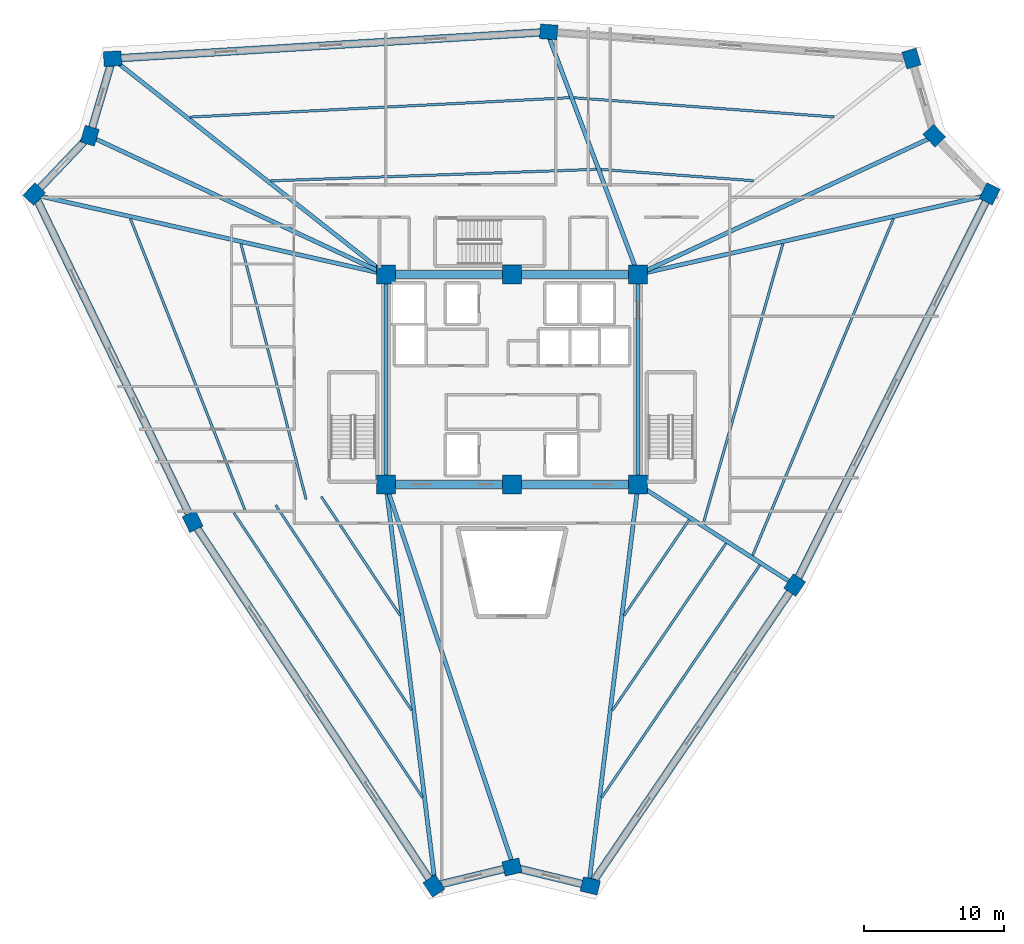
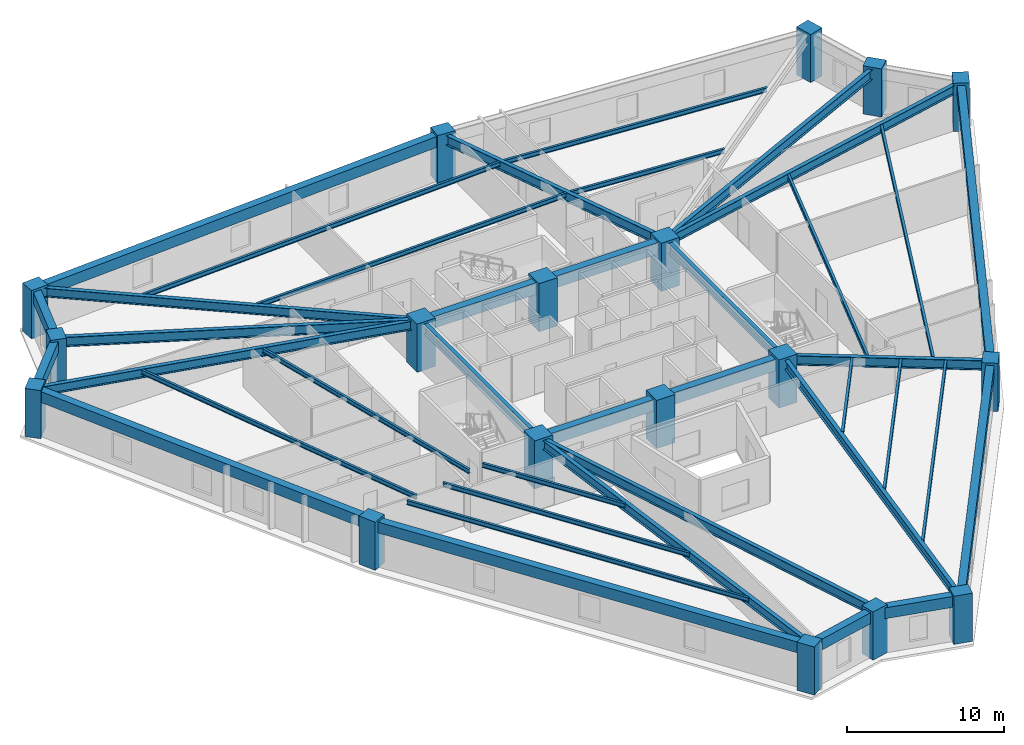
# One storey, part 1 of 8: 39 beams, 18 columns.
"""IFC4 building model written with IfcOpenShell, lengths in metres."""

from ifc_helpers import new_model, si_unit, direction, frame, origin, origin_2d, place, context, subcontext, project, spatial, rectangle, i_section, extrude, source, transform, mapped, material, material_profile, profile_set, type_object, element, save


model = new_model("IFC4")

# Units and contexts
model_context = context("Model", 3, precision=1e-05, world=origin(), true_north=direction((0.0, 1.0)))
body_context = subcontext(model_context, "Body", "Model", "MODEL_VIEW")
ifc_project = project(units=[si_unit("LENGTHUNIT", "METRE"), si_unit("AREAUNIT", "SQUARE_METRE"), si_unit("VOLUMEUNIT", "CUBIC_METRE"), si_unit("PLANEANGLEUNIT", "RADIAN"), si_unit("MASSUNIT", "GRAM", prefix="KILO")], contexts=[model_context])

# Site, building, storey
site_placement = place(None, origin())
site = spatial("IfcSite", under=ifc_project, at=site_placement, CompositionType="ELEMENT")
building_placement = place(site_placement, origin())
building = spatial("IfcBuilding", under=site, at=building_placement, Name="Liaohun Quay Tower", CompositionType="ELEMENT")
storey_placement = place(building_placement, frame((0.0, 0.0, 198.0)))
storey = spatial("IfcBuildingStorey", under=building, at=storey_placement, Name="L51", CompositionType="ELEMENT", Elevation=198.0)

# Columns
ifc_material_1 = material(Name="Concrete C55", Category="concrete")
ifc_material_profile_1 = material_profile(ifc_material_1, rectangle(XDim=1.35009765625, YDim=1.35009765625, at=origin_2d()), Name="RC1350x1350")
ifc_profile_set_1 = profile_set([ifc_material_profile_1], Name="Concrete C55")
column_type_1 = type_object("IfcColumnType", Name="COL-CC-Z3", PredefinedType="COLUMN", material=ifc_profile_set_1)
shared_shape_1 = source(origin(), body_context, "Body", "SweptSolid", [
    extrude(rectangle(XDim=1.35009765625, YDim=1.35009765625, at=origin_2d()), origin(), (0.0, 0.0, 1.0), 3.75),
])
for number, where, z_axis, x_axis, name in (
    (1, (51.0, 46.5, 0.0), (0.0, 0.0, 1.0), (1.0, 0.0, 0.0), "L51 Core Column CC1"),
    (2, (60.0, 46.5, 0.0), (0.0, 0.0, 1.0), (1.0, 0.0, 0.0), "L51 Core Column CC2"),
    (3, (69.0, 46.5, 0.0), (0.0, 0.0, 1.0), (1.0, 0.0, 0.0), "L51 Core Column CC3"),
    (4, (69.0, 61.5, 0.0), (0.0, 0.0, 1.0), (1.0, 0.0, 0.0), "L51 Core Column CC4"),
    (5, (60.0, 61.5, 0.0), (0.0, 0.0, 1.0), (1.0, 0.0, 0.0), "L51 Core Column CC5"),
    (6, (51.0, 61.5, 0.0), (0.0, 0.0, 1.0), (1.0, 0.0, 0.0), "L51 Core Column CC6"),
):
    element("IfcColumn", number, at=place(storey_placement, frame(where, z_axis=z_axis, x_axis=x_axis)), inside=storey, type_object=column_type_1, Name=name, PredefinedType="COLUMN", context=body_context, shape_type="MappedRepresentation", body=[
        mapped(shared_shape_1, transform((0.0, 0.0, 0.0), x_axis=(1.0, 0.0, 0.0), y_axis=(0.0, 1.0, 0.0), z_axis=(0.0, 0.0, 1.0), scale=1.0)),
    ])
ifc_material_profile_2 = material_profile(ifc_material_1, rectangle(XDim=1.25, YDim=1.050048828125, at=origin_2d()), Name="RC1250x1050")
ifc_profile_set_2 = profile_set([ifc_material_profile_2], Name="Concrete C55")
column_type_2 = type_object("IfcColumnType", Name="COL-PIER-Z3", PredefinedType="COLUMN", material=ifc_profile_set_2)
shared_shape_2 = source(origin(), body_context, "Body", "SweptSolid", [
    extrude(rectangle(XDim=1.25, YDim=1.050048828125, at=origin_2d()), origin(), (0.0, 0.0, 1.0), 3.75),
])
for number, where, z_axis, x_axis, name in (
    (7, (54.423095703125, 17.846923828125, 0.0), (0.0, 0.0, 1.0), (-0.551936985312, 0.833885822067, 0.0), "L51 Perimeter Pier PC01"),
    (8, (37.201904296875, 43.864013671875, 0.0), (0.0, 0.0, 1.0), (-0.435388228011, 0.900242795533, 0.0), "L51 Perimeter Pier PC02"),
    (9, (25.89599609375, 67.240966796875, 0.0), (0.0, 0.0, 1.0), (0.689493141399, 0.724292211723, 0.0), "L51 Perimeter Pier PC03"),
    (10, (29.85693359375, 71.403076171875, 0.0), (0.0, 0.0, 1.0), (0.282676303383, 0.959215360337, 0.0), "L51 Perimeter Pier PC04"),
    (11, (31.47900390625, 76.906005859375, 0.0), (0.0, 0.0, 1.0), (0.998134798422, 0.061048539535, 0.0), "L51 Perimeter Pier PC05"),
    (12, (62.6201171875, 78.81201171875, 0.0), (0.0, 0.0, 1.0), (-0.997327244511, 0.0730641318, 0.0), "L51 Perimeter Pier PC06"),
    (13, (88.51904296875, 76.9130859375, 0.0), (0.0, 0.0, 1.0), (-0.282676303383, 0.959215360337, 0.0), "L51 Perimeter Pier PC07"),
    (14, (90.14306640625, 71.403076171875, 0.0), (0.0, 0.0, 1.0), (-0.689493141399, 0.724292211723, 0.0), "L51 Perimeter Pier PC08"),
    (15, (94.097900390625, 67.2470703125, 0.0), (0.0, 0.0, 1.0), (0.44619781311, 0.894934361602, 0.0), "L51 Perimeter Pier PC09"),
    (16, (80.177978515625, 39.324951171875, 0.0), (0.0, 0.0, 1.0), (0.5619390165, 0.827178663733, 0.0), "L51 Perimeter Pier PC10"),
    (17, (65.5849609375, 17.844970703125, 0.0), (0.0, 0.0, 1.0), (-0.972043021443, 0.234802820391, 0.0), "L51 Perimeter Pier PC11"),
    (18, (60.0, 19.194091796875, 0.0), (0.0, 0.0, 1.0), (0.972043021443, 0.234802820391, 0.0), "L51 Perimeter Pier PC12"),
):
    element("IfcColumn", number, at=place(storey_placement, frame(where, z_axis=z_axis, x_axis=x_axis)), inside=storey, type_object=column_type_2, Name=name, PredefinedType="COLUMN", context=body_context, shape_type="MappedRepresentation", body=[
        mapped(shared_shape_2, transform((0.0, 0.0, 0.0), x_axis=(1.0, 0.0, 0.0), y_axis=(0.0, 1.0, 0.0), z_axis=(0.0, 0.0, 1.0), scale=1.0)),
    ])

# Beams
ifc_material_2 = material(Name="Steel Q355D", Category="steel")
ifc_material_profile_3 = material_profile(ifc_material_2, i_section(OverallWidth=0.300048828125, OverallDepth=0.800048828125, WebThickness=0.013916015625, FlangeThickness=0.02587890625, at=origin_2d()), Name="HN800x300x14x26")
ifc_profile_set_3 = profile_set([ifc_material_profile_3], Name="Steel Q355D")
beam_type_1 = type_object("IfcBeamType", Name="BM-RAD-M1", PredefinedType="BEAM", material=ifc_profile_set_3)
shared_shape_3 = source(origin(), body_context, "Body", "SweptSolid", [
    extrude(i_section(OverallWidth=0.300048828125, OverallDepth=0.800048828125, WebThickness=0.013916015625, FlangeThickness=0.02587890625, at=origin_2d()), origin(), (0.0, 0.0, 1.0), 15.0),
])
for number, where, z_axis, x_axis, name in (
    (19, (69.0, 46.5, 3.169921875), (0.0, 1.0, 0.0), (-1.0, 0.0, 0.0), "L51 Core Coupling/Ring Beam CC3-CC4"),
    (20, (51.0, 61.5, 3.169921875), (0.0, -1.0, 0.0), (1.0, 0.0, 0.0), "L51 Core Coupling/Ring Beam CC6-CC1"),
):
    element("IfcBeam", number, at=place(storey_placement, frame(where, z_axis=z_axis, x_axis=x_axis)), inside=storey, type_object=beam_type_1, Name=name, PredefinedType="BEAM", context=body_context, shape_type="MappedRepresentation", body=[
        mapped(shared_shape_3, transform((0.0, 0.0, 0.0), x_axis=(1.0, 0.0, 0.0), y_axis=(0.0, 1.0, 0.0), z_axis=(0.0, 0.0, 1.0), scale=1.0)),
    ])
ifc_material_profile_4 = material_profile(ifc_material_1, rectangle(XDim=0.550048828125, YDim=0.89990234375, at=origin_2d()), Name="RC550x900")
ifc_profile_set_4 = profile_set([ifc_material_profile_4], Name="Concrete C55")
beam_type_2 = type_object("IfcBeamType", Name="BM-CPL-2", PredefinedType="LINTEL", material=ifc_profile_set_4)
shared_shape_4 = source(origin(), body_context, "Body", "SweptSolid", [
    extrude(rectangle(XDim=0.550048828125, YDim=0.89990234375, at=origin_2d()), origin(), (0.0, 0.0, 1.0), 9.0),
])
for number, where, z_axis, x_axis, name in (
    (21, (51.0, 46.5, 3.1201171875), (1.0, 0.0, 0.0), (0.0, 1.0, 0.0), "L51 Core Coupling/Ring Beam CC1-CC2"),
    (22, (60.0, 46.5, 3.1201171875), (1.0, 0.0, 0.0), (0.0, 1.0, 0.0), "L51 Core Coupling/Ring Beam CC2-CC3"),
    (23, (69.0, 61.5, 3.1201171875), (-1.0, 0.0, 0.0), (0.0, -1.0, 0.0), "L51 Core Coupling/Ring Beam CC4-CC5"),
    (24, (60.0, 61.5, 3.1201171875), (-1.0, 0.0, 0.0), (0.0, -1.0, 0.0), "L51 Core Coupling/Ring Beam CC5-CC6"),
):
    element("IfcBeam", number, at=place(storey_placement, frame(where, z_axis=z_axis, x_axis=x_axis)), inside=storey, type_object=beam_type_2, Name=name, PredefinedType="LINTEL", context=body_context, shape_type="MappedRepresentation", body=[
        mapped(shared_shape_4, transform((0.0, 0.0, 0.0), x_axis=(1.0, 0.0, 0.0), y_axis=(0.0, 1.0, 0.0), z_axis=(0.0, 0.0, 1.0), scale=1.0)),
    ])
ifc_material_3 = material(Name="Precast concrete C50", Category="concrete")
ifc_material_profile_5 = material_profile(ifc_material_3, rectangle(XDim=0.550048828125, YDim=0.85009765625, at=origin_2d()), Name="RC550x850")
ifc_profile_set_5 = profile_set([ifc_material_profile_5], Name="Precast concrete C50")
beam_type_3 = type_object("IfcBeamType", Name="BM-SPD-Z3", PredefinedType="SPANDREL", material=ifc_profile_set_5)
shared_shape_5 = source(origin(), body_context, "Body", "SweptSolid", [
    extrude(rectangle(XDim=0.550048828125, YDim=0.85009765625, at=origin_2d()), origin(), (0.0, 0.0, 1.0), 5.74560546875),
])
for number, where, z_axis, x_axis, name in (
    (25, (25.89599609375, 67.240966796875, 3.14501953125), (0.689383501103, 0.724396568467, 0.0), (-0.724396568467, 0.689383501103, 0.0), "L51 Precast Spandrel Beam PC03-PC04"),
    (26, (65.5849609375, 17.844970703125, 3.14501953125), (-0.972041420908, 0.234809446229, 0.0), (-0.234809446229, -0.972041420908, 0.0), "L51 Precast Spandrel Beam PC11-PC12"),
):
    element("IfcBeam", number, at=place(storey_placement, frame(where, z_axis=z_axis, x_axis=x_axis)), inside=storey, type_object=beam_type_3, Name=name, PredefinedType="SPANDREL", context=body_context, shape_type="MappedRepresentation", body=[
        mapped(shared_shape_5, transform((0.0, 0.0, 0.0), x_axis=(1.0, 0.0, 0.0), y_axis=(0.0, 1.0, 0.0), z_axis=(0.0, 0.0, 1.0), scale=1.0)),
    ])
shared_shape_6 = source(origin(), body_context, "Body", "SweptSolid", [
    extrude(rectangle(XDim=0.550048828125, YDim=0.85009765625, at=origin_2d()), origin(), (0.0, 0.0, 1.0), 5.737060546875),
])
beam_1_placement = place(storey_placement, frame((29.85693359375, 71.403076171875, 3.14501953125), z_axis=(0.282737653875, 0.9591972785, 0.0), x_axis=(-0.9591972785, 0.282737653875, 0.0)))
element("IfcBeam", 27, at=beam_1_placement, inside=storey, type_object=beam_type_3, Name="L51 Precast Spandrel Beam PC04-PC05", PredefinedType="SPANDREL", context=body_context, shape_type="MappedRepresentation", body=[
    mapped(shared_shape_6, transform((0.0, 0.0, 0.0), x_axis=(1.0, 0.0, 0.0), y_axis=(0.0, 1.0, 0.0), z_axis=(0.0, 0.0, 1.0), scale=1.0)),
])
shared_shape_7 = source(origin(), body_context, "Body", "SweptSolid", [
    extrude(rectangle(XDim=0.550048828125, YDim=0.85009765625, at=origin_2d()), origin(), (0.0, 0.0, 1.0), 31.199462890625),
])
for number, where, z_axis, x_axis, name in (
    (28, (31.47900390625, 76.906005859375, 3.14501953125), (0.99813219255, 0.061091130245, 0.0), (-0.061091130245, 0.99813219255, 0.0), "L51 Precast Spandrel Beam PC05-PC06"),
    (29, (94.097900390625, 67.2470703125, 3.14501953125), (-0.446158454984, -0.894953983759, 0.0), (0.894953983759, -0.446158454984, 0.0), "L51 Precast Spandrel Beam PC09-PC10"),
):
    element("IfcBeam", number, at=place(storey_placement, frame(where, z_axis=z_axis, x_axis=x_axis)), inside=storey, type_object=beam_type_3, Name=name, PredefinedType="SPANDREL", context=body_context, shape_type="MappedRepresentation", body=[
        mapped(shared_shape_7, transform((0.0, 0.0, 0.0), x_axis=(1.0, 0.0, 0.0), y_axis=(0.0, 1.0, 0.0), z_axis=(0.0, 0.0, 1.0), scale=1.0)),
    ])
shared_shape_8 = source(origin(), body_context, "Body", "SweptSolid", [
    extrude(rectangle(XDim=0.550048828125, YDim=0.85009765625, at=origin_2d()), origin(), (0.0, 0.0, 1.0), 5.7373046875),
])
beam_2_placement = place(storey_placement, frame((60.0, 19.194091796875, 3.14501953125), z_axis=(-0.97204169688, -0.234808303786, 0.0), x_axis=(0.234808303786, -0.97204169688, 0.0)))
element("IfcBeam", 30, at=beam_2_placement, inside=storey, type_object=beam_type_3, Name="L51 Precast Spandrel Beam PC12-PC01", PredefinedType="SPANDREL", context=body_context, shape_type="MappedRepresentation", body=[
    mapped(shared_shape_8, transform((0.0, 0.0, 0.0), x_axis=(1.0, 0.0, 0.0), y_axis=(0.0, 1.0, 0.0), z_axis=(0.0, 0.0, 1.0), scale=1.0)),
])
shared_shape_9 = source(origin(), body_context, "Body", "SweptSolid", [
    extrude(rectangle(XDim=0.550048828125, YDim=0.85009765625, at=origin_2d()), origin(), (0.0, 0.0, 1.0), 31.2001953125),
])
beam_3_placement = place(storey_placement, frame((54.423095703125, 17.846923828125, 3.14501953125), z_axis=(-0.551956047239, 0.83387320494, 0.0), x_axis=(-0.83387320494, -0.551956047239, 0.0)))
element("IfcBeam", 31, at=beam_3_placement, inside=storey, type_object=beam_type_3, Name="L51 Precast Spandrel Beam PC01-PC02", PredefinedType="SPANDREL", context=body_context, shape_type="MappedRepresentation", body=[
    mapped(shared_shape_9, transform((0.0, 0.0, 0.0), x_axis=(1.0, 0.0, 0.0), y_axis=(0.0, 1.0, 0.0), z_axis=(0.0, 0.0, 1.0), scale=1.0)),
])
shared_shape_10 = source(origin(), body_context, "Body", "SweptSolid", [
    extrude(rectangle(XDim=0.550048828125, YDim=0.85009765625, at=origin_2d()), origin(), (0.0, 0.0, 1.0), 25.96728515625),
])
beam_4_placement = place(storey_placement, frame((37.201904296875, 43.864013671875, 3.14501953125), z_axis=(-0.43538865129, 0.900242590821, 0.0), x_axis=(-0.900242590821, -0.43538865129, 0.0)))
element("IfcBeam", 32, at=beam_4_placement, inside=storey, type_object=beam_type_3, Name="L51 Precast Spandrel Beam PC02-PC03", PredefinedType="SPANDREL", context=body_context, shape_type="MappedRepresentation", body=[
    mapped(shared_shape_10, transform((0.0, 0.0, 0.0), x_axis=(1.0, 0.0, 0.0), y_axis=(0.0, 1.0, 0.0), z_axis=(0.0, 0.0, 1.0), scale=1.0)),
])
shared_shape_11 = source(origin(), body_context, "Body", "SweptSolid", [
    extrude(rectangle(XDim=0.550048828125, YDim=0.85009765625, at=origin_2d()), origin(), (0.0, 0.0, 1.0), 25.96826171875),
])
beam_5_placement = place(storey_placement, frame((80.177978515625, 39.324951171875, 3.14501953125), z_axis=(-0.56195792721, -0.827165816536, 0.0), x_axis=(0.827165816536, -0.56195792721, 0.0)))
element("IfcBeam", 33, at=beam_5_placement, inside=storey, type_object=beam_type_3, Name="L51 Precast Spandrel Beam PC10-PC11", PredefinedType="SPANDREL", context=body_context, shape_type="MappedRepresentation", body=[
    mapped(shared_shape_11, transform((0.0, 0.0, 0.0), x_axis=(1.0, 0.0, 0.0), y_axis=(0.0, 1.0, 0.0), z_axis=(0.0, 0.0, 1.0), scale=1.0)),
])
ifc_material_profile_6 = material_profile(ifc_material_2, i_section(OverallWidth=0.300048828125, OverallDepth=0.699951171875, WebThickness=0.012939453125, FlangeThickness=0.02392578125, at=origin_2d()), Name="HN700x300x13x24")
ifc_profile_set_6 = profile_set([ifc_material_profile_6], Name="Steel Q355D")
beam_type_4 = type_object("IfcBeamType", Name="BM-RAD-U1", PredefinedType="BEAM", material=ifc_profile_set_6)
shared_shape_12 = source(origin(), body_context, "Body", "SweptSolid", [
    extrude(i_section(OverallWidth=0.300048828125, OverallDepth=0.699951171875, WebThickness=0.012939453125, FlangeThickness=0.02392578125, at=origin_2d()), origin(), (0.0, 0.0, 1.0), 28.48388671875),
])
beam_6_placement = place(storey_placement, frame((51.0, 46.5, 3.219970703125), z_axis=(0.122310816118, -0.992491845942, 0.0), x_axis=(0.992491845942, 0.122310816118, 0.0)))
element("IfcBeam", 34, at=beam_6_placement, inside=storey, type_object=beam_type_4, Name="L51 Radial Primary Girder CC1-PC01", PredefinedType="BEAM", context=body_context, shape_type="MappedRepresentation", body=[
    mapped(shared_shape_12, transform((0.0, 0.0, 0.0), x_axis=(1.0, 0.0, 0.0), y_axis=(0.0, 1.0, 0.0), z_axis=(0.0, 0.0, 1.0), scale=1.0)),
])
shared_shape_13 = source(origin(), body_context, "Body", "SweptSolid", [
    extrude(i_section(OverallWidth=0.300048828125, OverallDepth=0.699951171875, WebThickness=0.012939453125, FlangeThickness=0.02392578125, at=origin_2d()), origin(), (0.0, 0.0, 1.0), 25.367431640625),
])
beam_7_placement = place(storey_placement, frame((51.0, 61.5, 3.219970703125), z_axis=(-0.975302268925, 0.220874362998, 0.0), x_axis=(-0.220874362998, -0.975302268925, 0.0)))
element("IfcBeam", 35, at=beam_7_placement, inside=storey, type_object=beam_type_4, Name="L51 Radial Primary Girder CC6-PC03", PredefinedType="BEAM", context=body_context, shape_type="MappedRepresentation", body=[
    mapped(shared_shape_13, transform((0.0, 0.0, 0.0), x_axis=(1.0, 0.0, 0.0), y_axis=(0.0, 1.0, 0.0), z_axis=(0.0, 0.0, 1.0), scale=1.0)),
])
ifc_material_profile_7 = material_profile(ifc_material_2, i_section(OverallWidth=0.300048828125, OverallDepth=0.75, WebThickness=0.013916015625, FlangeThickness=0.02587890625, at=origin_2d()), Name="HN750x300x14x26")
ifc_profile_set_7 = profile_set([ifc_material_profile_7], Name="Steel Q355D")
beam_type_5 = type_object("IfcBeamType", Name="BM-RAD-M2", PredefinedType="BEAM", material=ifc_profile_set_7)
shared_shape_14 = source(origin(), body_context, "Body", "SweptSolid", [
    extrude(i_section(OverallWidth=0.300048828125, OverallDepth=0.75, WebThickness=0.013916015625, FlangeThickness=0.02587890625, at=origin_2d()), origin(), (0.0, 0.0, 1.0), 22.98046875),
])
for number, where, z_axis, x_axis, name in (
    (36, (51.0, 61.5, 3.195068359375), (-0.906164140165, 0.422926176867, 0.0), (-0.422926176867, -0.906164140165, 0.0), "L51 Radial Primary Girder CC6-PC04"),
    (37, (69.0, 61.5, 3.195068359375), (0.906164140165, 0.422926176867, 0.0), (-0.422926176867, 0.906164140165, 0.0), "L51 Radial Primary Girder CC4-PC08"),
):
    element("IfcBeam", number, at=place(storey_placement, frame(where, z_axis=z_axis, x_axis=x_axis)), inside=storey, type_object=beam_type_5, Name=name, PredefinedType="BEAM", context=body_context, shape_type="MappedRepresentation", body=[
        mapped(shared_shape_14, transform((0.0, 0.0, 0.0), x_axis=(1.0, 0.0, 0.0), y_axis=(0.0, 1.0, 0.0), z_axis=(0.0, 0.0, 1.0), scale=1.0)),
    ])
shared_shape_15 = source(origin(), body_context, "Body", "SweptSolid", [
    extrude(i_section(OverallWidth=0.300048828125, OverallDepth=0.699951171875, WebThickness=0.012939453125, FlangeThickness=0.02392578125, at=origin_2d()), origin(), (0.0, 0.0, 1.0), 24.48046875),
])
beam_8_placement = place(storey_placement, frame((51.0, 61.5, 3.219970703125), z_axis=(-0.785112206262, 0.619353552972, 0.0), x_axis=(-0.619353552972, -0.785112206262, 0.0)))
element("IfcBeam", 38, at=beam_8_placement, inside=storey, type_object=beam_type_4, Name="L51 Radial Primary Girder CC6-PC05", PredefinedType="BEAM", context=body_context, shape_type="MappedRepresentation", body=[
    mapped(shared_shape_15, transform((0.0, 0.0, 0.0), x_axis=(1.0, 0.0, 0.0), y_axis=(0.0, 1.0, 0.0), z_axis=(0.0, 0.0, 1.0), scale=1.0)),
])
shared_shape_16 = source(origin(), body_context, "Body", "SweptSolid", [
    extrude(i_section(OverallWidth=0.300048828125, OverallDepth=0.75, WebThickness=0.013916015625, FlangeThickness=0.02587890625, at=origin_2d()), origin(), (0.0, 0.0, 1.0), 18.225341796875),
])
beam_9_placement = place(storey_placement, frame((69.0, 61.5, 3.195068359375), z_axis=(-0.351543260444, 0.936171638129, 0.0), x_axis=(-0.936171638129, -0.351543260444, 0.0)))
element("IfcBeam", 39, at=beam_9_placement, inside=storey, type_object=beam_type_5, Name="L51 Radial Primary Girder CC4-PC06", PredefinedType="BEAM", context=body_context, shape_type="MappedRepresentation", body=[
    mapped(shared_shape_16, transform((0.0, 0.0, 0.0), x_axis=(1.0, 0.0, 0.0), y_axis=(0.0, 1.0, 0.0), z_axis=(0.0, 0.0, 1.0), scale=1.0)),
])
shared_shape_17 = source(origin(), body_context, "Body", "SweptSolid", [
    extrude(i_section(OverallWidth=0.300048828125, OverallDepth=0.699951171875, WebThickness=0.012939453125, FlangeThickness=0.02392578125, at=origin_2d()), origin(), (0.0, 0.0, 1.0), 25.364013671875),
])
beam_10_placement = place(storey_placement, frame((69.0, 61.5, 3.219970703125), z_axis=(0.975243077995, 0.221135566615, 0.0), x_axis=(-0.221135566615, 0.975243077995, 0.0)))
element("IfcBeam", 40, at=beam_10_placement, inside=storey, type_object=beam_type_4, Name="L51 Radial Primary Girder CC4-PC09", PredefinedType="BEAM", context=body_context, shape_type="MappedRepresentation", body=[
    mapped(shared_shape_17, transform((0.0, 0.0, 0.0), x_axis=(1.0, 0.0, 0.0), y_axis=(0.0, 1.0, 0.0), z_axis=(0.0, 0.0, 1.0), scale=1.0)),
])
shared_shape_18 = source(origin(), body_context, "Body", "SweptSolid", [
    extrude(i_section(OverallWidth=0.300048828125, OverallDepth=0.75, WebThickness=0.013916015625, FlangeThickness=0.02587890625, at=origin_2d()), origin(), (0.0, 0.0, 1.0), 13.031982421875),
])
beam_11_placement = place(storey_placement, frame((69.0, 46.5, 3.195068359375), z_axis=(0.842165572756, -0.539219016787, 0.0), x_axis=(0.539219016787, 0.842165572756, 0.0)))
element("IfcBeam", 41, at=beam_11_placement, inside=storey, type_object=beam_type_5, Name="L51 Radial Primary Girder CC3-PC10", PredefinedType="BEAM", context=body_context, shape_type="MappedRepresentation", body=[
    mapped(shared_shape_18, transform((0.0, 0.0, 0.0), x_axis=(1.0, 0.0, 0.0), y_axis=(0.0, 1.0, 0.0), z_axis=(0.0, 0.0, 1.0), scale=1.0)),
])
shared_shape_19 = source(origin(), body_context, "Body", "SweptSolid", [
    extrude(i_section(OverallWidth=0.300048828125, OverallDepth=0.699951171875, WebThickness=0.012939453125, FlangeThickness=0.02392578125, at=origin_2d()), origin(), (0.0, 0.0, 1.0), 28.48486328125),
])
beam_12_placement = place(storey_placement, frame((69.0, 46.5, 3.219970703125), z_axis=(-0.122066095149, -0.992521973769, 0.0), x_axis=(0.992521973769, -0.122066095149, 0.0)))
element("IfcBeam", 42, at=beam_12_placement, inside=storey, type_object=beam_type_4, Name="L51 Radial Primary Girder CC3-PC11", PredefinedType="BEAM", context=body_context, shape_type="MappedRepresentation", body=[
    mapped(shared_shape_19, transform((0.0, 0.0, 0.0), x_axis=(1.0, 0.0, 0.0), y_axis=(0.0, 1.0, 0.0), z_axis=(0.0, 0.0, 1.0), scale=1.0)),
])
shared_shape_20 = source(origin(), body_context, "Body", "SweptSolid", [
    extrude(i_section(OverallWidth=0.300048828125, OverallDepth=0.75, WebThickness=0.013916015625, FlangeThickness=0.02587890625, at=origin_2d()), origin(), (0.0, 0.0, 1.0), 28.401611328125),
])
beam_13_placement = place(storey_placement, frame((51.0, 46.5, 3.195068359375), z_axis=(0.316882705348, -0.948464733689, 0.0), x_axis=(0.948464733689, 0.316882705348, 0.0)))
element("IfcBeam", 43, at=beam_13_placement, inside=storey, type_object=beam_type_5, Name="L51 Radial Primary Girder CC1-PC12", PredefinedType="BEAM", context=body_context, shape_type="MappedRepresentation", body=[
    mapped(shared_shape_20, transform((0.0, 0.0, 0.0), x_axis=(1.0, 0.0, 0.0), y_axis=(0.0, 1.0, 0.0), z_axis=(0.0, 0.0, 1.0), scale=1.0)),
])
ifc_material_profile_8 = material_profile(ifc_material_2, i_section(OverallWidth=0.175048828125, OverallDepth=0.35009765625, WebThickness=0.007080078125, FlangeThickness=0.010986328125, at=origin_2d()), Name="HN350x175x7x11")
ifc_profile_set_8 = profile_set([ifc_material_profile_8], Name="Steel Q355D")
beam_type_6 = type_object("IfcBeamType", Name="BM-SEC-J3", PredefinedType="JOIST", material=ifc_profile_set_8)
shared_shape_21 = source(origin(), body_context, "Body", "SweptSolid", [
    extrude(i_section(OverallWidth=0.175048828125, OverallDepth=0.35009765625, WebThickness=0.007080078125, FlangeThickness=0.010986328125, at=origin_2d()), origin(), (0.0, 0.0, 1.0), 10.160400390625),
])
beam_14_placement = place(storey_placement, frame((51.9990234375, 37.16796875, 3.39501953125), z_axis=(-0.552341337605, 0.833618046093, 0.0), x_axis=(-0.833618046093, -0.552341337605, 0.0)))
element("IfcBeam", 44, at=beam_14_placement, inside=storey, type_object=beam_type_6, Name="L51 Wing Secondary Floor Joist SJ-01", PredefinedType="JOIST", context=body_context, shape_type="MappedRepresentation", body=[
    mapped(shared_shape_21, transform((0.0, 0.0, 0.0), x_axis=(1.0, 0.0, 0.0), y_axis=(0.0, 1.0, 0.0), z_axis=(0.0, 0.0, 1.0), scale=1.0)),
])
shared_shape_22 = source(origin(), body_context, "Body", "SweptSolid", [
    extrude(i_section(OverallWidth=0.175048828125, OverallDepth=0.35009765625, WebThickness=0.007080078125, FlangeThickness=0.010986328125, at=origin_2d()), origin(), (0.0, 0.0, 1.0), 17.568115234375),
])
beam_15_placement = place(storey_placement, frame((52.8349609375, 30.384033203125, 3.39501953125), z_axis=(-0.552353721459, 0.833609840627, 0.0), x_axis=(-0.833609840627, -0.552353721459, 0.0)))
element("IfcBeam", 45, at=beam_15_placement, inside=storey, type_object=beam_type_6, Name="L51 Wing Secondary Floor Joist SJ-02", PredefinedType="JOIST", context=body_context, shape_type="MappedRepresentation", body=[
    mapped(shared_shape_22, transform((0.0, 0.0, 0.0), x_axis=(1.0, 0.0, 0.0), y_axis=(0.0, 1.0, 0.0), z_axis=(0.0, 0.0, 1.0), scale=1.0)),
])
shared_shape_23 = source(origin(), body_context, "Body", "SweptSolid", [
    extrude(i_section(OverallWidth=0.175048828125, OverallDepth=0.35009765625, WebThickness=0.007080078125, FlangeThickness=0.010986328125, at=origin_2d()), origin(), (0.0, 0.0, 1.0), 24.360595703125),
])
beam_16_placement = place(storey_placement, frame((53.60205078125, 24.1640625, 3.39501953125), z_axis=(-0.552371386641, 0.833598135327, 0.0), x_axis=(-0.833598135327, -0.552371386641, 0.0)))
element("IfcBeam", 46, at=beam_16_placement, inside=storey, type_object=beam_type_6, Name="L51 Wing Secondary Floor Joist SJ-03", PredefinedType="JOIST", context=body_context, shape_type="MappedRepresentation", body=[
    mapped(shared_shape_23, transform((0.0, 0.0, 0.0), x_axis=(1.0, 0.0, 0.0), y_axis=(0.0, 1.0, 0.0), z_axis=(0.0, 0.0, 1.0), scale=1.0)),
])
shared_shape_24 = source(origin(), body_context, "Body", "SweptSolid", [
    extrude(i_section(OverallWidth=0.175048828125, OverallDepth=0.35009765625, WebThickness=0.007080078125, FlangeThickness=0.010986328125, at=origin_2d()), origin(), (0.0, 0.0, 1.0), 18.838134765625),
])
beam_17_placement = place(storey_placement, frame((45.301025390625, 45.43505859375, 3.39501953125), z_axis=(-0.246899907141, 0.969040987706, 0.0), x_axis=(-0.969040987706, -0.246899907141, 0.0)))
element("IfcBeam", 47, at=beam_17_placement, inside=storey, type_object=beam_type_6, Name="L51 Wing Secondary Floor Joist SJ-04", PredefinedType="JOIST", context=body_context, shape_type="MappedRepresentation", body=[
    mapped(shared_shape_24, transform((0.0, 0.0, 0.0), x_axis=(1.0, 0.0, 0.0), y_axis=(0.0, 1.0, 0.0), z_axis=(0.0, 0.0, 1.0), scale=1.0)),
])
shared_shape_25 = source(origin(), body_context, "Body", "SweptSolid", [
    extrude(i_section(OverallWidth=0.175048828125, OverallDepth=0.35009765625, WebThickness=0.007080078125, FlangeThickness=0.010986328125, at=origin_2d()), origin(), (0.0, 0.0, 1.0), 22.408935546875),
])
beam_18_placement = place(storey_placement, frame((40.9599609375, 44.623046875, 3.39501953125), z_axis=(-0.366010320343, 0.930610791578, 0.0), x_axis=(-0.930610791578, -0.366010320343, 0.0)))
element("IfcBeam", 48, at=beam_18_placement, inside=storey, type_object=beam_type_6, Name="L51 Wing Secondary Floor Joist SJ-05", PredefinedType="JOIST", context=body_context, shape_type="MappedRepresentation", body=[
    mapped(shared_shape_25, transform((0.0, 0.0, 0.0), x_axis=(1.0, 0.0, 0.0), y_axis=(0.0, 1.0, 0.0), z_axis=(0.0, 0.0, 1.0), scale=1.0)),
])
shared_shape_26 = source(origin(), body_context, "Body", "SweptSolid", [
    extrude(i_section(OverallWidth=0.175048828125, OverallDepth=0.35009765625, WebThickness=0.007080078125, FlangeThickness=0.010986328125, at=origin_2d()), origin(), (0.0, 0.0, 1.0), 23.2626953125),
])
beam_19_placement = place(storey_placement, frame((42.77490234375, 68.178955078125, 3.39501953125), z_axis=(0.999373982167, 0.035378577815, 0.0), x_axis=(-0.035378577815, 0.999373982167, 0.0)))
element("IfcBeam", 49, at=beam_19_placement, inside=storey, type_object=beam_type_6, Name="L51 Wing Secondary Floor Joist SJ-06", PredefinedType="JOIST", context=body_context, shape_type="MappedRepresentation", body=[
    mapped(shared_shape_26, transform((0.0, 0.0, 0.0), x_axis=(1.0, 0.0, 0.0), y_axis=(0.0, 1.0, 0.0), z_axis=(0.0, 0.0, 1.0), scale=1.0)),
])
shared_shape_27 = source(origin(), body_context, "Body", "SweptSolid", [
    extrude(i_section(OverallWidth=0.175048828125, OverallDepth=0.35009765625, WebThickness=0.007080078125, FlangeThickness=0.010986328125, at=origin_2d()), origin(), (0.0, 0.0, 1.0), 27.132568359375),
])
beam_20_placement = place(storey_placement, frame((37.0048828125, 72.73193359375, 3.39501953125), z_axis=(0.998694463673, 0.051081975586, 0.0), x_axis=(-0.051081975586, 0.998694463673, 0.0)))
element("IfcBeam", 50, at=beam_20_placement, inside=storey, type_object=beam_type_6, Name="L51 Wing Secondary Floor Joist SJ-07", PredefinedType="JOIST", context=body_context, shape_type="MappedRepresentation", body=[
    mapped(shared_shape_27, transform((0.0, 0.0, 0.0), x_axis=(1.0, 0.0, 0.0), y_axis=(0.0, 1.0, 0.0), z_axis=(0.0, 0.0, 1.0), scale=1.0)),
])
shared_shape_28 = source(origin(), body_context, "Body", "SweptSolid", [
    extrude(i_section(OverallWidth=0.175048828125, OverallDepth=0.35009765625, WebThickness=0.007080078125, FlangeThickness=0.010986328125, at=origin_2d()), origin(), (0.0, 0.0, 1.0), 10.918701171875),
])
beam_21_placement = place(storey_placement, frame((66.345947265625, 68.9951171875, 3.39501953125), z_axis=(0.99728395866, -0.073652602122, 0.0), x_axis=(0.073652602122, 0.99728395866, 0.0)))
element("IfcBeam", 51, at=beam_21_placement, inside=storey, type_object=beam_type_6, Name="L51 Wing Secondary Floor Joist SJ-08", PredefinedType="JOIST", context=body_context, shape_type="MappedRepresentation", body=[
    mapped(shared_shape_28, transform((0.0, 0.0, 0.0), x_axis=(1.0, 0.0, 0.0), y_axis=(0.0, 1.0, 0.0), z_axis=(0.0, 0.0, 1.0), scale=1.0)),
])
shared_shape_29 = source(origin(), body_context, "Body", "SweptSolid", [
    extrude(i_section(OverallWidth=0.175048828125, OverallDepth=0.35009765625, WebThickness=0.007080078125, FlangeThickness=0.010986328125, at=origin_2d()), origin(), (0.0, 0.0, 1.0), 18.62646484375),
])
beam_22_placement = place(storey_placement, frame((64.424072265625, 74.114013671875, 3.39501953125), z_axis=(0.997283253591, -0.073662148398, 0.0), x_axis=(0.073662148398, 0.997283253591, 0.0)))
element("IfcBeam", 52, at=beam_22_placement, inside=storey, type_object=beam_type_6, Name="L51 Wing Secondary Floor Joist SJ-09", PredefinedType="JOIST", context=body_context, shape_type="MappedRepresentation", body=[
    mapped(shared_shape_29, transform((0.0, 0.0, 0.0), x_axis=(1.0, 0.0, 0.0), y_axis=(0.0, 1.0, 0.0), z_axis=(0.0, 0.0, 1.0), scale=1.0)),
])
shared_shape_30 = source(origin(), body_context, "Body", "SweptSolid", [
    extrude(i_section(OverallWidth=0.175048828125, OverallDepth=0.35009765625, WebThickness=0.007080078125, FlangeThickness=0.010986328125, at=origin_2d()), origin(), (0.0, 0.0, 1.0), 20.785888671875),
])
beam_23_placement = place(storey_placement, frame((79.342041015625, 63.69091796875, 3.39501953125), z_axis=(-0.273740568451, -0.961803566839, 0.0), x_axis=(0.961803566839, -0.273740568451, 0.0)))
element("IfcBeam", 53, at=beam_23_placement, inside=storey, type_object=beam_type_6, Name="L51 Wing Secondary Floor Joist SJ-10", PredefinedType="JOIST", context=body_context, shape_type="MappedRepresentation", body=[
    mapped(shared_shape_30, transform((0.0, 0.0, 0.0), x_axis=(1.0, 0.0, 0.0), y_axis=(0.0, 1.0, 0.0), z_axis=(0.0, 0.0, 1.0), scale=1.0)),
])
shared_shape_31 = source(origin(), body_context, "Body", "SweptSolid", [
    extrude(i_section(OverallWidth=0.175048828125, OverallDepth=0.35009765625, WebThickness=0.007080078125, FlangeThickness=0.010986328125, at=origin_2d()), origin(), (0.0, 0.0, 1.0), 26.0576171875),
])
beam_24_placement = place(storey_placement, frame((87.23388671875, 65.48095703125, 3.39501953125), z_axis=(-0.385833824036, -0.922568295699, 0.0), x_axis=(0.922568295699, -0.385833824036, 0.0)))
element("IfcBeam", 54, at=beam_24_placement, inside=storey, type_object=beam_type_6, Name="L51 Wing Secondary Floor Joist SJ-11", PredefinedType="JOIST", context=body_context, shape_type="MappedRepresentation", body=[
    mapped(shared_shape_31, transform((0.0, 0.0, 0.0), x_axis=(1.0, 0.0, 0.0), y_axis=(0.0, 1.0, 0.0), z_axis=(0.0, 0.0, 1.0), scale=1.0)),
])
shared_shape_32 = source(origin(), body_context, "Body", "SweptSolid", [
    extrude(i_section(OverallWidth=0.175048828125, OverallDepth=0.35009765625, WebThickness=0.007080078125, FlangeThickness=0.010986328125, at=origin_2d()), origin(), (0.0, 0.0, 1.0), 8.25830078125),
])
beam_25_placement = place(storey_placement, frame((72.64697265625, 43.987060546875, 3.39501953125), z_axis=(-0.562466883135, -0.826819814334, 0.0), x_axis=(0.826819814334, -0.562466883135, 0.0)))
element("IfcBeam", 55, at=beam_25_placement, inside=storey, type_object=beam_type_6, Name="L51 Wing Secondary Floor Joist SJ-12", PredefinedType="JOIST", context=body_context, shape_type="MappedRepresentation", body=[
    mapped(shared_shape_32, transform((0.0, 0.0, 0.0), x_axis=(1.0, 0.0, 0.0), y_axis=(0.0, 1.0, 0.0), z_axis=(0.0, 0.0, 1.0), scale=1.0)),
])
shared_shape_33 = source(origin(), body_context, "Body", "SweptSolid", [
    extrude(i_section(OverallWidth=0.175048828125, OverallDepth=0.35009765625, WebThickness=0.007080078125, FlangeThickness=0.010986328125, at=origin_2d()), origin(), (0.0, 0.0, 1.0), 14.4248046875),
])
beam_26_placement = place(storey_placement, frame((75.281005859375, 42.300048828125, 3.39501953125), z_axis=(-0.562436860197, -0.826840237465, 0.0), x_axis=(0.826840237465, -0.562436860197, 0.0)))
element("IfcBeam", 56, at=beam_26_placement, inside=storey, type_object=beam_type_6, Name="L51 Wing Secondary Floor Joist SJ-13", PredefinedType="JOIST", context=body_context, shape_type="MappedRepresentation", body=[
    mapped(shared_shape_33, transform((0.0, 0.0, 0.0), x_axis=(1.0, 0.0, 0.0), y_axis=(0.0, 1.0, 0.0), z_axis=(0.0, 0.0, 1.0), scale=1.0)),
])
shared_shape_34 = source(origin(), body_context, "Body", "SweptSolid", [
    extrude(i_section(OverallWidth=0.175048828125, OverallDepth=0.35009765625, WebThickness=0.007080078125, FlangeThickness=0.010986328125, at=origin_2d()), origin(), (0.0, 0.0, 1.0), 20.076904296875),
])
beam_27_placement = place(storey_placement, frame((77.696044921875, 40.75390625, 3.39501953125), z_axis=(-0.562482633568, -0.826809099451, 0.0), x_axis=(0.826809099451, -0.562482633568, 0.0)))
element("IfcBeam", 57, at=beam_27_placement, inside=storey, type_object=beam_type_6, Name="L51 Wing Secondary Floor Joist SJ-14", PredefinedType="JOIST", context=body_context, shape_type="MappedRepresentation", body=[
    mapped(shared_shape_34, transform((0.0, 0.0, 0.0), x_axis=(1.0, 0.0, 0.0), y_axis=(0.0, 1.0, 0.0), z_axis=(0.0, 0.0, 1.0), scale=1.0)),
])

save(model, "model.ifc")
